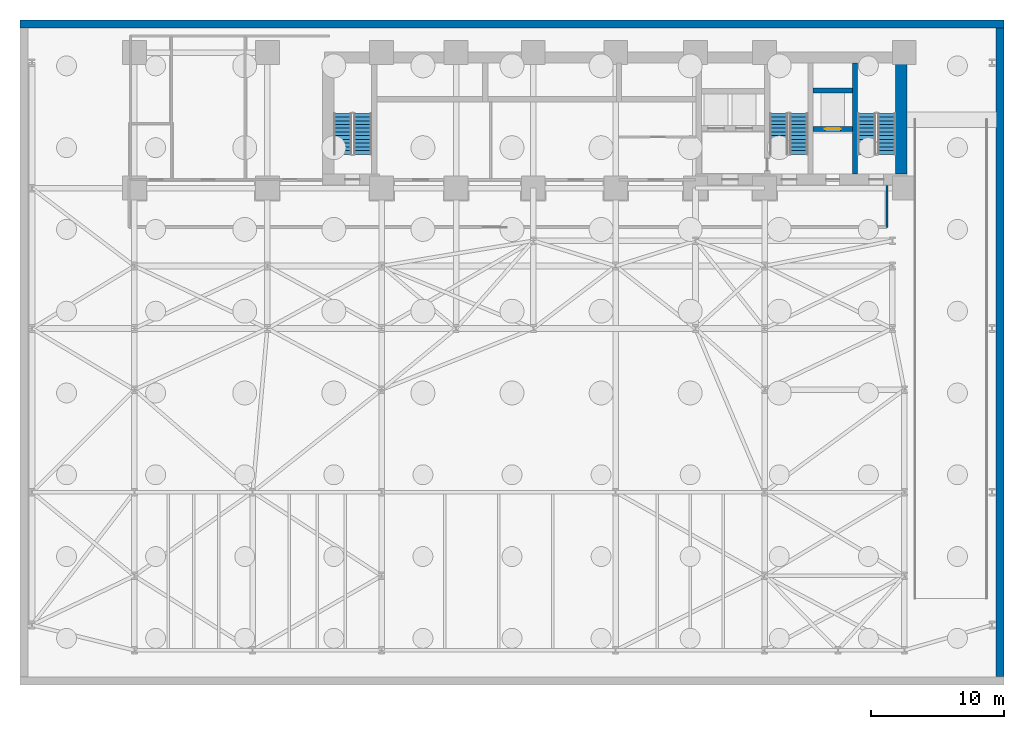
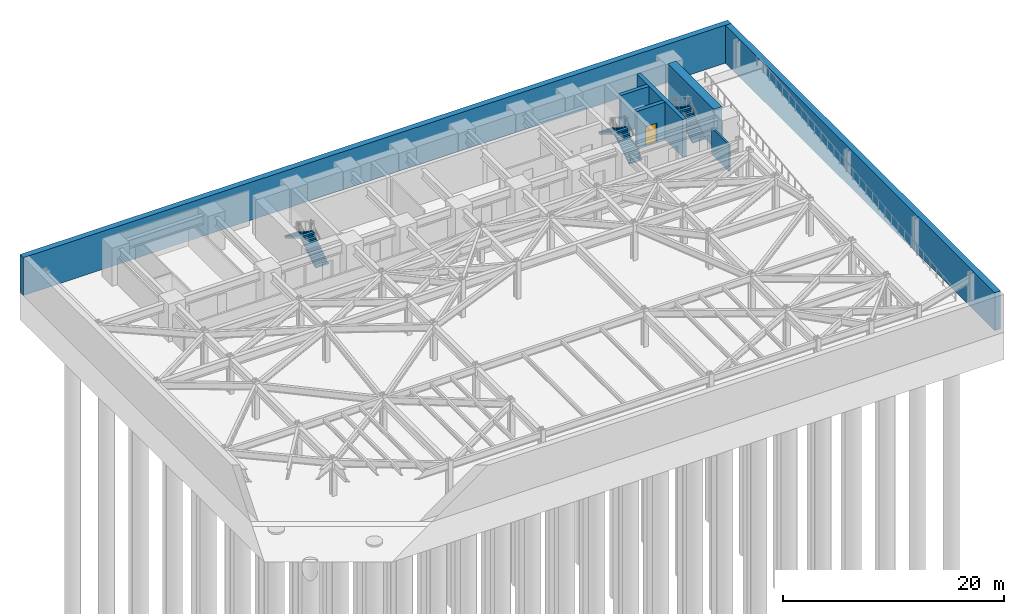
# One storey, part 6 of 12: 7 walls, 6 stair flights, 1 door, 1 opening, 3 elements without a shape of their own.
"""IFC4 building model written with IfcOpenShell, lengths in metres."""

import ifcopenshell
import ifcopenshell.guid

model = None  # the IFC model being written
_history = None  # IfcOwnerHistory: only IFC2X3 demands one
_inside = {}  # id of a spatial element -> (the spatial element, [elements in it])
_under = {}  # id of a project, library or spatial element -> (it, [spatial elements below it])
_declared = {}  # id of a project -> (the project, [libraries it declares])
_typed = {}  # id of a type object -> (the type object, [elements of that type])
_made_of = {}  # id of a material, layer set ... -> (it, [elements and type objects made of it])


def new_model(schema):
    """Start an empty IFC model of exactly this schema.

    Asked for "IFC4X3", IfcOpenShell would pick the latest addendum, in which some entities
    have other attributes; the version numbers below select the first issue.
    IFC2X3 requires an IfcOwnerHistory on every rooted entity: one is made here for all.
    """
    global model, _history
    if schema == "IFC4X3":
        model = ifcopenshell.file(schema_version=(4, 3, 0, 0))
    else:
        model = ifcopenshell.file(schema=schema)
    _inside.clear()
    _under.clear()
    _declared.clear()
    _typed.clear()
    _made_of.clear()
    _history = None
    if model.schema == "IFC2X3":
        org = make("IfcOrganization", Name="unknown")
        user = make(
            "IfcPersonAndOrganization",
            ThePerson=make("IfcPerson", FamilyName="unknown"),
            TheOrganization=org,
        )
        app = make(
            "IfcApplication",
            ApplicationDeveloper=org,
            Version="unknown",
            ApplicationFullName="unknown",
            ApplicationIdentifier="unknown",
        )
        _history = make(
            "IfcOwnerHistory",
            OwningUser=user,
            OwningApplication=app,
            ChangeAction="ADDED",
            CreationDate=0,
        )
    return model


def make(cls, **values):
    """One entity of the class cls with the attributes given. An attribute that is None is left unset."""
    return model.create_entity(
        cls, **{name: value for name, value in values.items() if value is not None}
    )


def rooted(cls, **values):
    """An entity with a GlobalId (a new one), such as an element, a storey or a relation."""
    return make(cls, GlobalId=ifcopenshell.guid.new(), OwnerHistory=_history, **values)


def si_unit(unit_type, name, prefix=None):
    """IfcSIUnit, for example si_unit("LENGTHUNIT", "METRE", prefix="MILLI")."""
    return make("IfcSIUnit", UnitType=unit_type, Prefix=prefix, Name=name)


def assignment(units):
    """IfcUnitAssignment: the units of a project."""
    return None if units is None else make("IfcUnitAssignment", Units=units)


def point(xyz):
    """IfcCartesianPoint."""
    return None if xyz is None else make("IfcCartesianPoint", Coordinates=xyz)


def direction(xyz):
    """IfcDirection."""
    return None if xyz is None else make("IfcDirection", DirectionRatios=xyz)


def frame(location, z_axis=None, x_axis=None):
    """IfcAxis2Placement3D, a coordinate frame: its origin and axes. An axis left out is left unset."""
    return make(
        "IfcAxis2Placement3D",
        Location=point(location),
        Axis=direction(z_axis),
        RefDirection=direction(x_axis),
    )


def frame_2d(location, x_axis=None):
    """IfcAxis2Placement2D, a coordinate frame in the plane: its origin and x axis."""
    return make(
        "IfcAxis2Placement2D", Location=point(location), RefDirection=direction(x_axis)
    )


def origin():
    """The frame at (0, 0, 0) with its axes left unset."""
    return frame((0.0, 0.0, 0.0))


def place(relative_to, where):
    """IfcLocalPlacement: puts the frame where relative to a parent placement (None: the world)."""
    return make(
        "IfcLocalPlacement", PlacementRelTo=relative_to, RelativePlacement=where
    )


def context(
    kind, dimensions, precision=None, world=None, true_north=None, identifier=None
):
    """IfcGeometricRepresentationContext, for example the 3D "Model" context."""
    return make(
        "IfcGeometricRepresentationContext",
        ContextIdentifier=identifier,
        ContextType=kind,
        CoordinateSpaceDimension=dimensions,
        Precision=precision,
        WorldCoordinateSystem=world,
        TrueNorth=true_north,
    )


def subcontext(parent, identifier, kind, view, scale=None):
    """IfcGeometricRepresentationSubContext, for example "Body" below "Model"."""
    return make(
        "IfcGeometricRepresentationSubContext",
        ContextIdentifier=identifier,
        ContextType=kind,
        ParentContext=parent,
        TargetScale=scale,
        TargetView=view,
    )


def project(units=None, contexts=None):
    """IfcProject with its units and contexts."""
    return rooted(
        "IfcProject",
        Name="project",
        RepresentationContexts=contexts,
        UnitsInContext=assignment(units),
    )


def spatial(cls, under=None, at=None, **own):
    """A site, building, storey or space (cls), placed at a placement, below another one or the project."""
    s = rooted(cls, ObjectPlacement=at, **own)
    if under is not None:
        _under.setdefault(under.id(), (under, []))[1].append(s)
    return s


def polyline(points):
    """IfcPolyline through the points."""
    return make("IfcPolyline", Points=[point(p) for p in points])


def profile(cls, at=None, kind="AREA", **sizes):
    """A parametric profile (cls). Its sizes go by their IFC names, for example OverallWidth=200.0."""
    return make(cls, ProfileType=kind, Position=at, **sizes)


def rectangle(**sizes):
    """IfcRectangleProfileDef."""
    return profile("IfcRectangleProfileDef", **sizes)


def outline(outer, holes=None, kind="AREA"):
    """IfcArbitraryClosedProfileDef: a profile drawn as a closed curve; with holes, ...WithVoids."""
    if holes is None:
        return make("IfcArbitraryClosedProfileDef", ProfileType=kind, OuterCurve=outer)
    return make(
        "IfcArbitraryProfileDefWithVoids",
        ProfileType=kind,
        OuterCurve=outer,
        InnerCurves=holes,
    )


def extrude(swept, where, along, depth):
    """IfcExtrudedAreaSolid: the profile swept, set in the frame where, extruded along a direction by depth."""
    return make(
        "IfcExtrudedAreaSolid",
        SweptArea=swept,
        Position=where,
        ExtrudedDirection=direction(along),
        Depth=depth,
    )


def shape(context_of_items, identifier, shape_type, items):
    """IfcShapeRepresentation: the items that make up one representation, for example the "Body"."""
    return make(
        "IfcShapeRepresentation",
        ContextOfItems=context_of_items,
        RepresentationIdentifier=identifier,
        RepresentationType=shape_type,
        Items=items,
    )


def material(Name=None, Category=None):
    """IfcMaterial."""
    return make("IfcMaterial", Name=Name, Category=Category)


def layer(
    of_material, thickness, ventilated=None, Name=None, Category=None, Priority=None
):
    """IfcMaterialLayer: one layer of a wall or slab, of a material (None: an air gap)."""
    return make(
        "IfcMaterialLayer",
        Material=of_material,
        LayerThickness=thickness,
        IsVentilated=ventilated,
        Name=Name,
        Category=Category,
        Priority=Priority,
    )


def layer_set(layers, Name=None):
    """IfcMaterialLayerSet."""
    return make("IfcMaterialLayerSet", MaterialLayers=layers, LayerSetName=Name)


def made_of(thing, what):
    """Note that an element or type object is made of a material, layer set ...; save() writes the relation."""
    if what is not None:
        _made_of.setdefault(what.id(), (what, []))[1].append(thing)
    return thing


def type_object(cls, material=None, **own):
    """A type object (cls), such as IfcWallType, which elements share."""
    return made_of(rooted(cls, **own), material)


def element(
    cls,
    number,
    at=None,
    inside=None,
    cuts=None,
    type_object=None,
    material=None,
    context=None,
    identifier="Body",
    shape_type=None,
    held_by="IfcProductDefinitionShape",
    body=None,
    shapes=None,
    **own,
):
    """One element of the class cls, such as IfcWall. Its Tag is "e" and its number.

    at: its placement. inside: the storey or other place that contains it. cuts: it is an
    opening in that element (IfcRelVoidsElement). A single representation is given by context,
    identifier, shape_type and body (its items); several are given by shapes. held_by: the class
    of the entity that holds the representations. save() writes the other relations.
    """
    e = rooted(cls, Tag="e%d" % number, ObjectPlacement=at, **own)
    if body is not None:
        shapes = [shape(context, identifier, shape_type, body)]
    if shapes is not None:
        e.Representation = make(held_by, Representations=shapes)
    if inside is not None:
        _inside.setdefault(inside.id(), (inside, []))[1].append(e)
    if cuts is not None:
        rooted(
            "IfcRelVoidsElement", RelatingBuildingElement=cuts, RelatedOpeningElement=e
        )
    if type_object is not None:
        _typed.setdefault(type_object.id(), (type_object, []))[1].append(e)
    return made_of(e, material)


def fill(opening, filler):
    """IfcRelFillsElement: the door or window that sits in an opening."""
    return rooted(
        "IfcRelFillsElement",
        RelatingOpeningElement=opening,
        RelatedBuildingElement=filler,
    )


def aggregate(whole, parts):
    """IfcRelAggregates: a whole, such as a stair, and the parts it consists of."""
    return rooted("IfcRelAggregates", RelatingObject=whole, RelatedObjects=parts)


def save(model, path):
    """Write the relations noted so far, then the file.

    IfcRelAggregates (storeys below a building ...), IfcRelContainedInSpatialStructure (elements
    in a storey), IfcRelDefinesByType, IfcRelAssociatesMaterial and IfcRelDeclares: one each for
    every whole, place, type object, material and project.
    """
    for whole, parts in _under.values():
        aggregate(whole, parts)
    for where, things in _inside.values():
        rooted(
            "IfcRelContainedInSpatialStructure",
            RelatedElements=things,
            RelatingStructure=where,
        )
    for kind, things in _typed.values():
        rooted("IfcRelDefinesByType", RelatedObjects=things, RelatingType=kind)
    for what, things in _made_of.values():
        rooted("IfcRelAssociatesMaterial", RelatedObjects=things, RelatingMaterial=what)
    for by, libraries in _declared.values():
        rooted("IfcRelDeclares", RelatingContext=by, RelatedDefinitions=libraries)
    model.write(path)


model = new_model("IFC4")

# Units and contexts
model_context = context("Model", 3, precision=1e-05, world=origin(), true_north=direction((0.0, 1.0)))
body_context = subcontext(model_context, "Body", "Model", "MODEL_VIEW")
ifc_project = project(units=[si_unit("LENGTHUNIT", "METRE"), si_unit("AREAUNIT", "SQUARE_METRE"), si_unit("VOLUMEUNIT", "CUBIC_METRE"), si_unit("PLANEANGLEUNIT", "RADIAN"), si_unit("MASSUNIT", "GRAM", prefix="KILO")], contexts=[model_context])

# Site, building, storey
site_placement = place(None, origin())
site = spatial("IfcSite", under=ifc_project, at=site_placement, CompositionType="ELEMENT")
building_placement = place(site_placement, origin())
building = spatial("IfcBuilding", under=site, at=building_placement, Name="Kravanh Interchange Tower", CompositionType="ELEMENT")
storey_placement = place(building_placement, frame((0.0, 0.0, -8.39990234375)))
storey = spatial("IfcBuildingStorey", under=building, at=storey_placement, Name="B2", CompositionType="ELEMENT", Elevation=-8.39990234375)

# Walls
ifc_material_1 = material(Name="Concrete C60/75", Category="concrete")
ifc_layer_1 = layer(ifc_material_1, 0.60009765625)
ifc_layer_set_1 = layer_set([ifc_layer_1], Name="Basement Retaining Wall Concrete C60/75 600mm")
wall_type_1 = type_object("IfcWallType", Name="Basement Retaining Wall Concrete C60/75 600mm", PredefinedType="SOLIDWALL", material=ifc_layer_set_1)
wall_1_placement = place(storey_placement, frame((0.0, 49.699951171875, 0.0), z_axis=(0.0, 0.0, 1.0), x_axis=(1.0, 0.0, 0.0)))
element("IfcWall", 1, at=wall_1_placement, inside=storey, type_object=wall_type_1, Name="B2 Basement Retaining Wall N", PredefinedType="SOLIDWALL", context=body_context, shape_type="SweptSolid", body=[
    extrude(rectangle(XDim=74.0, YDim=0.60009765625, at=frame_2d((37.0, 0.0))), origin(), (0.0, 0.0, 1.0), 4.199951171875),
])
wall_2_placement = place(storey_placement, frame((73.699951171875, 0.6201171875, 0.0), z_axis=(0.0, 0.0, 1.0), x_axis=(0.0, 1.0, 0.0)))
element("IfcWall", 2, at=wall_2_placement, inside=storey, type_object=wall_type_1, Name="B2 Basement Retaining Wall E", PredefinedType="SOLIDWALL", context=body_context, shape_type="SweptSolid", body=[
    extrude(rectangle(XDim=48.759765625, YDim=0.60009765625, at=frame_2d((24.3798828125, 0.0))), origin(), (0.0, 0.0, 1.0), 4.199951171875),
])
ifc_material_2 = material(Name="Concrete C80/95", Category="concrete")
ifc_layer_2 = layer(ifc_material_2, 0.39990234375)
ifc_layer_set_2 = layer_set([ifc_layer_2], Name="Core Shear Wall Concrete C80/95 400mm")
wall_type_2 = type_object("IfcWallType", Name="Core Shear Wall Concrete C80/95 400mm", PredefinedType="SHEAR", material=ifc_layer_set_2)
wall_3_placement = place(storey_placement, frame((62.800048828125, 38.425048828125, 0.0), z_axis=(0.0, 0.0, 1.0), x_axis=(0.0, 1.0, 0.0)))
element("IfcWall", 3, at=wall_3_placement, inside=storey, type_object=wall_type_2, Name="B2 Stair ST1 West Shear Wall", PredefinedType="SHEAR", context=body_context, shape_type="SweptSolid", body=[
    extrude(rectangle(XDim=8.324951171875, YDim=0.39990234375, at=frame_2d((4.16259765625, 0.0))), origin(), (0.0, 0.0, 1.0), 4.199951171875),
])

# Wall, opening, door
wall_4_placement = place(storey_placement, frame((59.64990234375, 41.800048828125, 0.0), z_axis=(0.0, 0.0, 1.0), x_axis=(1.0, 0.0, 0.0)))
wall_4 = element("IfcWall", 4, at=wall_4_placement, inside=storey, type_object=wall_type_2, Name="B2 Service Lift Shaft South Wall", PredefinedType="SHEAR", context=body_context, shape_type="SweptSolid", body=[
    extrude(rectangle(XDim=2.9501953125, YDim=0.39990234375, at=frame_2d((1.47509765625, 0.0))), origin(), (0.0, 0.0, 1.0), 4.199951171875),
])
opening_placement = place(wall_4_placement, frame((0.8701171875, 0.0, 0.0)))
opening = element("IfcOpeningElement", 5, at=opening_placement, cuts=wall_4, Name="Opening LD02", PredefinedType="OPENING", context=body_context, shape_type="SweptSolid", body=[
    extrude(rectangle(XDim=1.199951171875, YDim=2.199951171875, at=frame_2d((0.60009765625, 1.10009765625))), frame((0.0, 0.2099609375, 0.0), z_axis=(0.0, -1.0, 0.0), x_axis=(1.0, 0.0, 0.0)), (0.0, 0.0, 1.0), 0.419921875),
])
ifc_material_3 = material(Name="Stainless Steel 316", Category="steel")
door_type = type_object("IfcDoorType", Name="Fire and Service Lift Sliding Landing Door 1200x2200", OperationType="DOUBLE_DOOR_SLIDING", PredefinedType="DOOR", material=ifc_material_3)
door_placement = place(opening_placement, origin())
door = element("IfcDoor", 6, at=door_placement, inside=storey, type_object=door_type, Name="B2 Lift LS-01 Landing Door", OperationType="DOUBLE_DOOR_SLIDING", OverallHeight=2.199951171875, OverallWidth=1.199951171875, PredefinedType="DOOR", context=body_context, shape_type="SweptSolid", body=[
    extrude(rectangle(XDim=1.199951171875, YDim=2.199951171875, at=frame_2d((0.60009765625, 1.10009765625))), frame((0.0, 0.02490234375, 0.0), z_axis=(0.0, -1.0, 0.0), x_axis=(1.0, 0.0, 0.0)), (0.0, 0.0, 1.0), 0.050048828125),
])
fill(opening, door)

# Walls
wall_5_placement = place(storey_placement, frame((59.64990234375, 44.699951171875, 0.0), z_axis=(0.0, 0.0, 1.0), x_axis=(1.0, 0.0, 0.0)))
element("IfcWall", 7, at=wall_5_placement, inside=storey, type_object=wall_type_2, Name="B2 Service Lift Shaft North Wall", PredefinedType="SHEAR", context=body_context, shape_type="SweptSolid", body=[
    extrude(rectangle(XDim=2.9501953125, YDim=0.39990234375, at=frame_2d((1.47509765625, 0.0))), origin(), (0.0, 0.0, 1.0), 4.199951171875),
])
ifc_material_4 = material(Name="Concrete C80/95", Category="concrete")
ifc_layer_3 = layer(ifc_material_4, 0.85009765625)
ifc_layer_set_3 = layer_set([ifc_layer_3], Name="Core Shear Wall Concrete C80/95 850mm")
wall_type_3 = type_object("IfcWallType", Name="Core Shear Wall Concrete C80/95 850mm", PredefinedType="SHEAR", material=ifc_layer_set_3)
wall_6_placement = place(storey_placement, frame((66.27490234375, 38.425048828125, 0.0), z_axis=(0.0, 0.0, 1.0), x_axis=(0.0, 1.0, 0.0)))
element("IfcWall", 8, at=wall_6_placement, inside=storey, type_object=wall_type_3, Name="B2 Stair ST1 East Shear Wall", PredefinedType="SHEAR", context=body_context, shape_type="SweptSolid", body=[
    extrude(rectangle(XDim=8.324951171875, YDim=0.85009765625, at=frame_2d((4.16259765625, 0.0))), origin(), (0.0, 0.0, 1.0), 4.199951171875),
])
ifc_material_5 = material(Name="Autoclaved Aerated Concrete C30/37 Blockwork", Category="masonry")
ifc_layer_4 = layer(ifc_material_5, 0.179931640625)
ifc_layer_set_4 = layer_set([ifc_layer_4], Name="Fire-Rated Lobby and Corridor Wall Concrete C30/37 180mm")
wall_type_4 = type_object("IfcWallType", Name="Fire-Rated Lobby and Corridor Wall Concrete C30/37 180mm", PredefinedType="STANDARD", material=ifc_layer_set_4)
wall_7_placement = place(storey_placement, frame((65.199951171875, 34.39990234375, 0.0), z_axis=(0.0, 0.0, 1.0), x_axis=(0.0, 1.0, 0.0)))
element("IfcWall", 9, at=wall_7_placement, inside=storey, type_object=wall_type_4, Name="B2 Interior Partition 7", PredefinedType="STANDARD", context=body_context, shape_type="SweptSolid", body=[
    extrude(rectangle(XDim=3.1669921875, YDim=0.179931640625, at=frame_2d((1.58349609375, 0.0))), origin(), (0.0, 0.0, 1.0), 2.951904296875),
])

# Stair, stair flights
ifc_material_6 = material(Name="Concrete C50/60", Category="concrete")
stair_type = type_object("IfcStairType", Name="Core Fire Exit Dogleg Stair Concrete C50/60", PredefinedType="HALF_TURN_STAIR", material=ifc_material_6)
stair_1_placement = place(storey_placement, origin())
stair_1 = element("IfcStair", 10, at=stair_1_placement, inside=storey, type_object=stair_type, Name="B2 Exit Stair ST1", PredefinedType="HALF_TURN_STAIR")
ifc_material_7 = material(Name="Precast Concrete C50/60", Category="concrete")
ifc_layer_5 = layer(ifc_material_7, 0.199951171875)
ifc_layer_set_5 = layer_set([ifc_layer_5], Name="Precast Concrete C50/60 Stair Flight 1350mm")
stair_flight_type = type_object("IfcStairFlightType", Name="Precast Concrete C50/60 Stair Flight 1350mm", PredefinedType="STRAIGHT", material=ifc_layer_set_5)
stair_flight_1_placement = place(storey_placement, frame((65.175048828125, 39.89990234375, 0.0), z_axis=(0.0, 0.0, 1.0), x_axis=(0.0, 1.0, 0.0)))
stair_flight_1 = element("IfcStairFlight", 11, at=stair_flight_1_placement, type_object=stair_flight_type, Name="ST1 flight 1", NumberOfRisers=12, NumberOfTreads=11, PredefinedType="STRAIGHT", RiserHeight=0.175, TreadLength=0.28, context=body_context, shape_type="SweptSolid", body=[
    extrude(outline(polyline([(0.0, 0.0), (0.0, 0.175048828125), (0.280029296875, 0.175048828125), (0.280029296875, 0.35009765625), (0.56005859375, 0.35009765625), (0.56005859375, 0.52490234375), (0.840087890625, 0.52490234375), (0.840087890625, 0.699951171875), (1.1201171875, 0.699951171875), (1.1201171875, 0.875), (1.39990234375, 0.875), (1.39990234375, 1.050048828125), (1.679931640625, 1.050048828125), (1.679931640625, 1.22509765625), (1.9599609375, 1.22509765625), (1.9599609375, 1.39990234375), (2.239990234375, 1.39990234375), (2.239990234375, 1.574951171875), (2.52001953125, 1.574951171875), (2.52001953125, 1.75), (2.800048828125, 1.75), (2.800048828125, 1.925048828125), (3.080078125, 1.925048828125), (3.080078125, 2.10009765625), (3.080078125, 1.748291015625), (0.28271484375, 0.0), (0.0, 0.0)])), frame((0.0, 0.675048828125, 0.0), z_axis=(0.0, -1.0, 0.0), x_axis=(1.0, 0.0, 0.0)), (0.0, 0.0, 1.0), 1.35009765625),
])
stair_flight_2_placement = place(storey_placement, frame((63.675048828125, 42.97998046875, 2.099853515625), z_axis=(0.0, 0.0, 1.0), x_axis=(0.0, -1.0, 0.0)))
stair_flight_2 = element("IfcStairFlight", 12, at=stair_flight_2_placement, type_object=stair_flight_type, Name="ST1 flight 2", NumberOfRisers=12, NumberOfTreads=11, PredefinedType="STRAIGHT", RiserHeight=0.175, TreadLength=0.28, context=body_context, shape_type="SweptSolid", body=[
    extrude(outline(polyline([(0.0, 0.0), (0.0, 0.175048828125), (0.280029296875, 0.175048828125), (0.280029296875, 0.35009765625), (0.56005859375, 0.35009765625), (0.56005859375, 0.52490234375), (0.840087890625, 0.52490234375), (0.840087890625, 0.699951171875), (1.1201171875, 0.699951171875), (1.1201171875, 0.875), (1.39990234375, 0.875), (1.39990234375, 1.050048828125), (1.679931640625, 1.050048828125), (1.679931640625, 1.22509765625), (1.9599609375, 1.22509765625), (1.9599609375, 1.39990234375), (2.239990234375, 1.39990234375), (2.239990234375, 1.574951171875), (2.52001953125, 1.574951171875), (2.52001953125, 1.75), (2.800048828125, 1.75), (2.800048828125, 1.925048828125), (3.080078125, 1.925048828125), (3.080078125, 2.10009765625), (3.080078125, 1.748291015625), (0.28271484375, 0.0), (0.0, 0.0)])), frame((0.0, 0.675048828125, 0.0), z_axis=(0.0, -1.0, 0.0), x_axis=(1.0, 0.0, 0.0)), (0.0, 0.0, 1.0), 1.35009765625),
])
aggregate(stair_1, [stair_flight_1, stair_flight_2])

stair_2_placement = place(storey_placement, origin())
stair_2 = element("IfcStair", 13, at=stair_2_placement, inside=storey, type_object=stair_type, Name="B2 Exit Stair ST2", PredefinedType="HALF_TURN_STAIR")
stair_flight_3_placement = place(storey_placement, frame((58.574951171875, 39.89990234375, 0.0), z_axis=(0.0, 0.0, 1.0), x_axis=(0.0, 1.0, 0.0)))
stair_flight_3 = element("IfcStairFlight", 14, at=stair_flight_3_placement, type_object=stair_flight_type, Name="ST2 flight 1", NumberOfRisers=12, NumberOfTreads=11, PredefinedType="STRAIGHT", RiserHeight=0.175, TreadLength=0.28, context=body_context, shape_type="SweptSolid", body=[
    extrude(outline(polyline([(0.0, 0.0), (0.0, 0.175048828125), (0.280029296875, 0.175048828125), (0.280029296875, 0.35009765625), (0.56005859375, 0.35009765625), (0.56005859375, 0.52490234375), (0.840087890625, 0.52490234375), (0.840087890625, 0.699951171875), (1.1201171875, 0.699951171875), (1.1201171875, 0.875), (1.39990234375, 0.875), (1.39990234375, 1.050048828125), (1.679931640625, 1.050048828125), (1.679931640625, 1.22509765625), (1.9599609375, 1.22509765625), (1.9599609375, 1.39990234375), (2.239990234375, 1.39990234375), (2.239990234375, 1.574951171875), (2.52001953125, 1.574951171875), (2.52001953125, 1.75), (2.800048828125, 1.75), (2.800048828125, 1.925048828125), (3.080078125, 1.925048828125), (3.080078125, 2.10009765625), (3.080078125, 1.748291015625), (0.28271484375, 0.0), (0.0, 0.0)])), frame((0.0, 0.675048828125, 0.0), z_axis=(0.0, -1.0, 0.0), x_axis=(1.0, 0.0, 0.0)), (0.0, 0.0, 1.0), 1.35009765625),
])
stair_flight_4_placement = place(storey_placement, frame((57.074951171875, 42.97998046875, 2.099853515625), z_axis=(0.0, 0.0, 1.0), x_axis=(0.0, -1.0, 0.0)))
stair_flight_4 = element("IfcStairFlight", 15, at=stair_flight_4_placement, type_object=stair_flight_type, Name="ST2 flight 2", NumberOfRisers=12, NumberOfTreads=11, PredefinedType="STRAIGHT", RiserHeight=0.175, TreadLength=0.28, context=body_context, shape_type="SweptSolid", body=[
    extrude(outline(polyline([(0.0, 0.0), (0.0, 0.175048828125), (0.280029296875, 0.175048828125), (0.280029296875, 0.35009765625), (0.56005859375, 0.35009765625), (0.56005859375, 0.52490234375), (0.840087890625, 0.52490234375), (0.840087890625, 0.699951171875), (1.1201171875, 0.699951171875), (1.1201171875, 0.875), (1.39990234375, 0.875), (1.39990234375, 1.050048828125), (1.679931640625, 1.050048828125), (1.679931640625, 1.22509765625), (1.9599609375, 1.22509765625), (1.9599609375, 1.39990234375), (2.239990234375, 1.39990234375), (2.239990234375, 1.574951171875), (2.52001953125, 1.574951171875), (2.52001953125, 1.75), (2.800048828125, 1.75), (2.800048828125, 1.925048828125), (3.080078125, 1.925048828125), (3.080078125, 2.10009765625), (3.080078125, 1.748291015625), (0.28271484375, 0.0), (0.0, 0.0)])), frame((0.0, 0.675048828125, 0.0), z_axis=(0.0, -1.0, 0.0), x_axis=(1.0, 0.0, 0.0)), (0.0, 0.0, 1.0), 1.35009765625),
])
aggregate(stair_2, [stair_flight_3, stair_flight_4])

stair_3_placement = place(storey_placement, origin())
stair_3 = element("IfcStair", 16, at=stair_3_placement, inside=storey, type_object=stair_type, Name="B2 Exit Stair ST3", PredefinedType="HALF_TURN_STAIR")
stair_flight_5_placement = place(storey_placement, frame((25.77490234375, 39.89990234375, 0.0), z_axis=(0.0, 0.0, 1.0), x_axis=(0.0, 1.0, 0.0)))
stair_flight_5 = element("IfcStairFlight", 17, at=stair_flight_5_placement, type_object=stair_flight_type, Name="ST3 flight 1", NumberOfRisers=12, NumberOfTreads=11, PredefinedType="STRAIGHT", RiserHeight=0.175, TreadLength=0.28, context=body_context, shape_type="SweptSolid", body=[
    extrude(outline(polyline([(0.0, 0.0), (0.0, 0.175048828125), (0.280029296875, 0.175048828125), (0.280029296875, 0.35009765625), (0.56005859375, 0.35009765625), (0.56005859375, 0.52490234375), (0.840087890625, 0.52490234375), (0.840087890625, 0.699951171875), (1.1201171875, 0.699951171875), (1.1201171875, 0.875), (1.39990234375, 0.875), (1.39990234375, 1.050048828125), (1.679931640625, 1.050048828125), (1.679931640625, 1.22509765625), (1.9599609375, 1.22509765625), (1.9599609375, 1.39990234375), (2.239990234375, 1.39990234375), (2.239990234375, 1.574951171875), (2.52001953125, 1.574951171875), (2.52001953125, 1.75), (2.800048828125, 1.75), (2.800048828125, 1.925048828125), (3.080078125, 1.925048828125), (3.080078125, 2.10009765625), (3.080078125, 1.748291015625), (0.28271484375, 0.0), (0.0, 0.0)])), frame((0.0, 0.675048828125, 0.0), z_axis=(0.0, -1.0, 0.0), x_axis=(1.0, 0.0, 0.0)), (0.0, 0.0, 1.0), 1.35009765625),
])
stair_flight_6_placement = place(storey_placement, frame((24.27490234375, 42.97998046875, 2.099853515625), z_axis=(0.0, 0.0, 1.0), x_axis=(0.0, -1.0, 0.0)))
stair_flight_6 = element("IfcStairFlight", 18, at=stair_flight_6_placement, type_object=stair_flight_type, Name="ST3 flight 2", NumberOfRisers=12, NumberOfTreads=11, PredefinedType="STRAIGHT", RiserHeight=0.175, TreadLength=0.28, context=body_context, shape_type="SweptSolid", body=[
    extrude(outline(polyline([(0.0, 0.0), (0.0, 0.175048828125), (0.280029296875, 0.175048828125), (0.280029296875, 0.35009765625), (0.56005859375, 0.35009765625), (0.56005859375, 0.52490234375), (0.840087890625, 0.52490234375), (0.840087890625, 0.699951171875), (1.1201171875, 0.699951171875), (1.1201171875, 0.875), (1.39990234375, 0.875), (1.39990234375, 1.050048828125), (1.679931640625, 1.050048828125), (1.679931640625, 1.22509765625), (1.9599609375, 1.22509765625), (1.9599609375, 1.39990234375), (2.239990234375, 1.39990234375), (2.239990234375, 1.574951171875), (2.52001953125, 1.574951171875), (2.52001953125, 1.75), (2.800048828125, 1.75), (2.800048828125, 1.925048828125), (3.080078125, 1.925048828125), (3.080078125, 2.10009765625), (3.080078125, 1.748291015625), (0.28271484375, 0.0), (0.0, 0.0)])), frame((0.0, 0.675048828125, 0.0), z_axis=(0.0, -1.0, 0.0), x_axis=(1.0, 0.0, 0.0)), (0.0, 0.0, 1.0), 1.35009765625),
])
aggregate(stair_3, [stair_flight_5, stair_flight_6])

save(model, "model.ifc")
